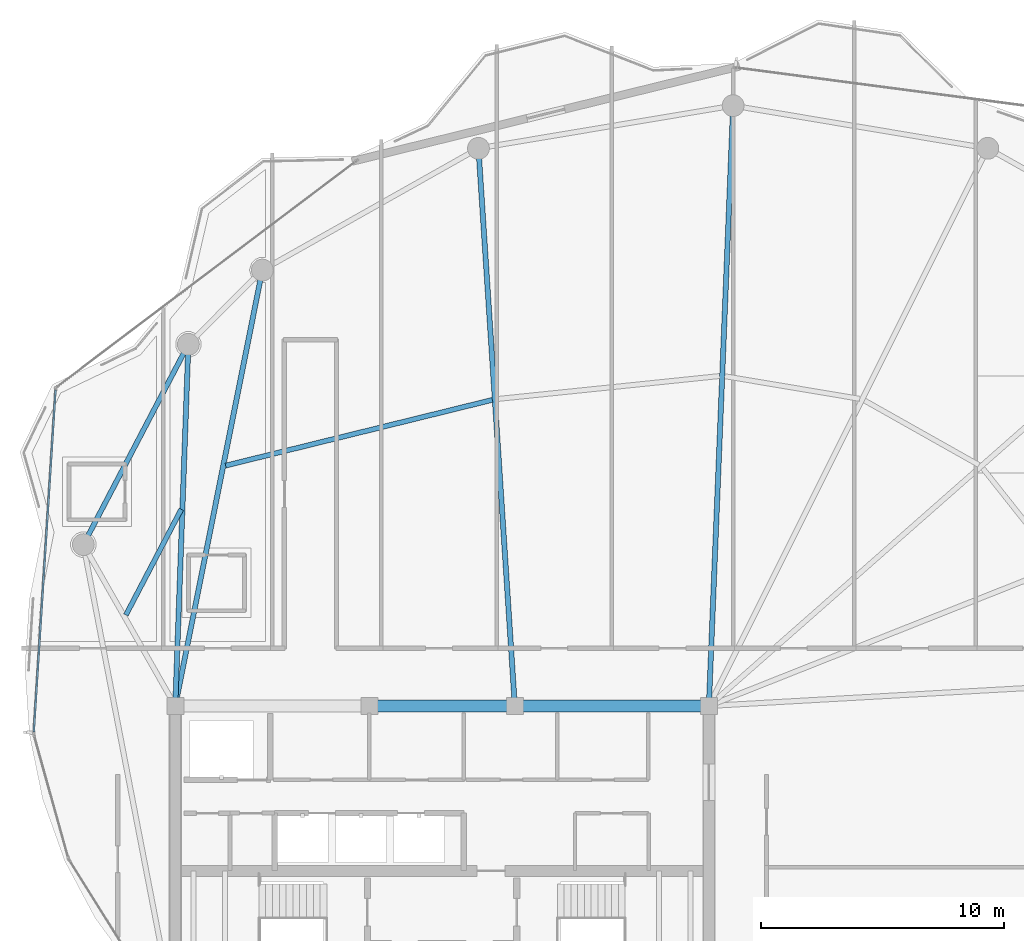
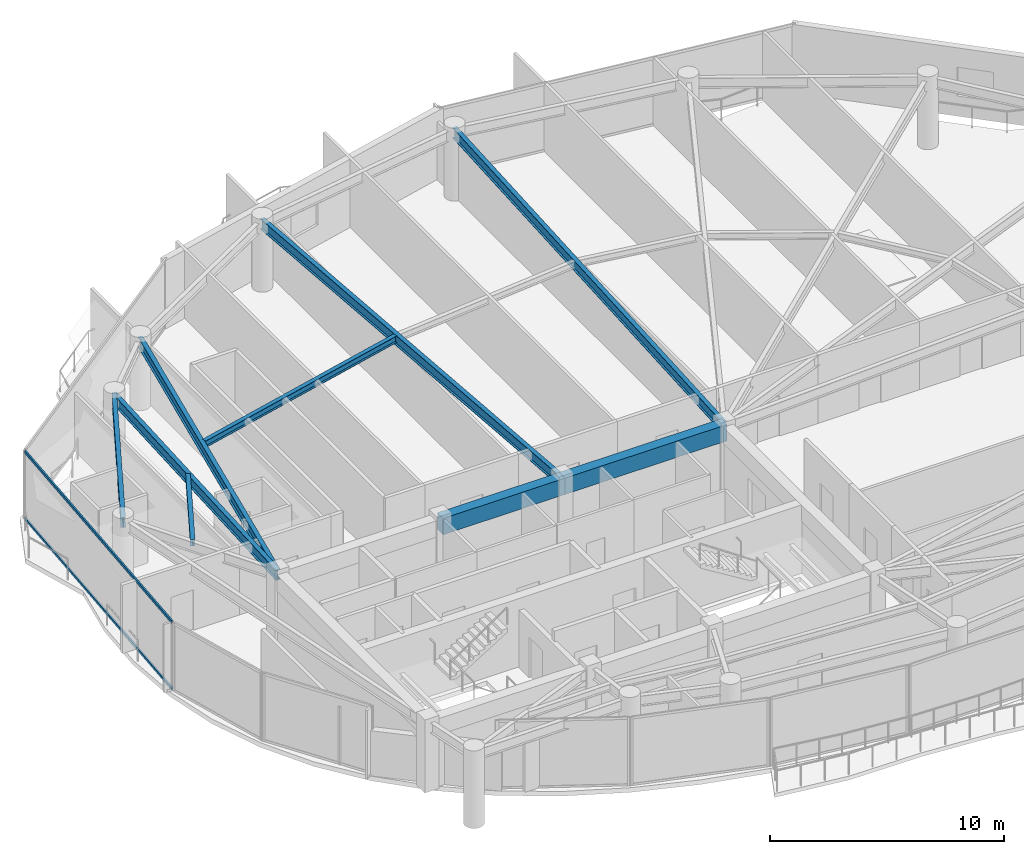
# One storey, part 10 of 30: 9 beams, 2 members, 1 element without a shape of its own.
"""IFC4 building model written with IfcOpenShell, lengths in metres."""

from ifc_helpers import new_model, si_unit, direction, frame, origin, origin_2d, place, context, subcontext, project, spatial, rectangle, hollow_rectangle, i_section, extrude, material, layer, layer_set, material_profile, profile_set, type_object, element, aggregate, save


model = new_model("IFC4")

# Units and contexts
model_context = context("Model", 3, precision=1e-05, world=origin(), true_north=direction((0.0, 1.0)))
body_context = subcontext(model_context, "Body", "Model", "MODEL_VIEW")
ifc_project = project(units=[si_unit("LENGTHUNIT", "METRE"), si_unit("AREAUNIT", "SQUARE_METRE"), si_unit("VOLUMEUNIT", "CUBIC_METRE"), si_unit("PLANEANGLEUNIT", "RADIAN"), si_unit("MASSUNIT", "GRAM", prefix="KILO")], contexts=[model_context])

# Site, building, storey
site_placement = place(None, origin())
site = spatial("IfcSite", under=ifc_project, at=site_placement, CompositionType="ELEMENT")
building_placement = place(site_placement, origin())
building = spatial("IfcBuilding", under=site, at=building_placement, Name="Kazevale Care Tower and Concert Hall", CompositionType="ELEMENT")
storey_placement = place(building_placement, frame((0.0, 0.0, 258.60009765625)))
storey = spatial("IfcBuildingStorey", under=building, at=storey_placement, Name="L68", CompositionType="ELEMENT", Elevation=258.60009765625)

# Curtain wall, members
ifc_material_1 = material(Name="Aluminium 6063-T6 and Low-E Glass", Category="aluminium")
ifc_layer = layer(ifc_material_1, 0.179931640625)
ifc_layer_set = layer_set([ifc_layer], Name="Aluminium 6063-T6 and Low-E Glass")
curtain_wall_type = type_object("IfcCurtainWallType", Name="Waist & Upper Residential Curtain Wall CW-4", PredefinedType="NOTDEFINED", material=ifc_layer_set)
curtain_wall_placement = place(storey_placement, origin())
curtain_wall = element("IfcCurtainWall", 1, at=curtain_wall_placement, inside=storey, type_object=curtain_wall_type, Name="cw:L68:f13", PredefinedType="NOTDEFINED")
ifc_material_2 = material(Name="Aluminium 6063-T6", Category="aluminium")
ifc_material_profile_1 = material_profile(ifc_material_2, hollow_rectangle(XDim=0.080078125, YDim=0.139892578125, WallThickness=0.00390625, at=origin_2d()), Name="ALU80x140x4")
ifc_profile_set_1 = profile_set([ifc_material_profile_1], Name="Aluminium 6063-T6")
member_type = type_object("IfcMemberType", Name="CW-4 Transom ALU80x140x4", PredefinedType="USERDEFINED", material=ifc_profile_set_1)
member_1_placement = place(storey_placement, frame((16.1669921875, 35.333740234375, 0.039794921875), z_axis=(0.063549673171, 0.997978676646, 0.0), x_axis=(-0.997978676646, 0.063549673171, 0.0)))
member_1 = element("IfcMember", 2, at=member_1_placement, type_object=member_type, Name="CW-4 transom 1.1", ObjectType="TRANSOM", PredefinedType="USERDEFINED", context=body_context, shape_type="SweptSolid", body=[
    extrude(hollow_rectangle(XDim=0.080078125, YDim=0.139892578125, WallThickness=0.00390625, at=origin_2d()), origin(), (0.0, 0.0, 1.0), 14.1298828125),
])
member_2_placement = place(storey_placement, frame((16.1669921875, 35.333740234375, 3.52001953125), z_axis=(0.063549673171, 0.997978676646, 0.0), x_axis=(-0.997978676646, 0.063549673171, 0.0)))
member_2 = element("IfcMember", 3, at=member_2_placement, type_object=member_type, Name="CW-4 transom 1.2", ObjectType="TRANSOM", PredefinedType="USERDEFINED", context=body_context, shape_type="SweptSolid", body=[
    extrude(hollow_rectangle(XDim=0.080078125, YDim=0.139892578125, WallThickness=0.00390625, at=origin_2d()), origin(), (0.0, 0.0, 1.0), 14.1298828125),
])
aggregate(curtain_wall, [member_1, member_2])

# Beams
ifc_material_3 = material(Name="Concrete C60", Category="concrete")
ifc_material_profile_2 = material_profile(ifc_material_3, rectangle(XDim=0.5, YDim=0.85009765625, at=origin_2d()), Name="RC-B500x850")
ifc_profile_set_2 = profile_set([ifc_material_profile_2], Name="Concrete C60")
beam_type_1 = type_object("IfcBeamType", Name="Core Coupling Beam RC500x850", PredefinedType="LINTEL", material=ifc_profile_set_2)
beam_1_placement = place(storey_placement, frame((44.0, 36.39990234375, 3.135009765625), z_axis=(-1.0, 0.0, 0.0), x_axis=(0.0, -1.0, 0.0)))
element("IfcBeam", 4, at=beam_1_placement, inside=storey, type_object=beam_type_1, Name="beam:L68:coretie:5", PredefinedType="LINTEL", context=body_context, shape_type="SweptSolid", body=[
    extrude(rectangle(XDim=0.5, YDim=0.85009765625, at=origin_2d()), origin(), (0.0, 0.0, 1.0), 8.0),
])
beam_2_placement = place(storey_placement, frame((36.0, 36.39990234375, 3.135009765625), z_axis=(-1.0, 0.0, 0.0), x_axis=(0.0, -1.0, 0.0)))
element("IfcBeam", 5, at=beam_2_placement, inside=storey, type_object=beam_type_1, Name="beam:L68:coretie:6", PredefinedType="LINTEL", context=body_context, shape_type="SweptSolid", body=[
    extrude(rectangle(XDim=0.5, YDim=0.85009765625, at=origin_2d()), origin(), (0.0, 0.0, 1.0), 6.0),
])
ifc_material_4 = material(Name="Steel ASTM A572 Gr 50", Category="steel")
ifc_material_profile_3 = material_profile(ifc_material_4, i_section(OverallWidth=0.2119140625, OverallDepth=0.5439453125, WebThickness=0.01318359375, FlangeThickness=0.021240234375, at=origin_2d()), Name="W530x123")
ifc_profile_set_3 = profile_set([ifc_material_profile_3], Name="Steel ASTM A572 Gr 50")
beam_type_2 = type_object("IfcBeamType", Name="Radial Floor Girder W530x123", PredefinedType="BEAM", material=ifc_profile_set_3)
beam_3_placement = place(storey_placement, frame((44.0, 36.39990234375, 3.287841796875), z_axis=(0.040371101203, 0.999184754781, 0.0), x_axis=(-0.999184754781, 0.040371101203, 0.0)))
element("IfcBeam", 6, at=beam_3_placement, inside=storey, type_object=beam_type_2, Name="beam:L68:rad:05", PredefinedType="BEAM", context=body_context, shape_type="SweptSolid", body=[
    extrude(i_section(OverallWidth=0.2119140625, OverallDepth=0.5439453125, WebThickness=0.01318359375, FlangeThickness=0.021240234375, at=origin_2d()), origin(), (0.0, 0.0, 1.0), 24.770263671875),
])
beam_4_placement = place(storey_placement, frame((36.0, 36.39990234375, 3.287841796875), z_axis=(-0.0651073525, 0.997878265446, 0.0), x_axis=(-0.997878265446, -0.0651073525, 0.0)))
element("IfcBeam", 7, at=beam_4_placement, inside=storey, type_object=beam_type_2, Name="beam:L68:rad:06", PredefinedType="BEAM", context=body_context, shape_type="SweptSolid", body=[
    extrude(i_section(OverallWidth=0.2119140625, OverallDepth=0.5439453125, WebThickness=0.01318359375, FlangeThickness=0.021240234375, at=origin_2d()), origin(), (0.0, 0.0, 1.0), 23.038818359375),
])
beam_5_placement = place(storey_placement, frame((22.0, 36.39990234375, 3.287841796875), z_axis=(0.195908605871, 0.980622158706, 0.0), x_axis=(-0.980622158706, 0.195908605871, 0.0)))
element("IfcBeam", 8, at=beam_5_placement, inside=storey, type_object=beam_type_2, Name="beam:L68:rad:07", PredefinedType="BEAM", context=body_context, shape_type="SweptSolid", body=[
    extrude(i_section(OverallWidth=0.2119140625, OverallDepth=0.5439453125, WebThickness=0.01318359375, FlangeThickness=0.021240234375, at=origin_2d()), origin(), (0.0, 0.0, 1.0), 18.325439453125),
])
beam_6_placement = place(storey_placement, frame((22.0, 36.39990234375, 3.287841796875), z_axis=(0.036195810092, 0.999344716968, 0.0), x_axis=(-0.999344716968, 0.036195810092, 0.0)))
element("IfcBeam", 9, at=beam_6_placement, inside=storey, type_object=beam_type_2, Name="beam:L68:rad:08", PredefinedType="BEAM", context=body_context, shape_type="SweptSolid", body=[
    extrude(i_section(OverallWidth=0.2119140625, OverallDepth=0.5439453125, WebThickness=0.01318359375, FlangeThickness=0.021240234375, at=origin_2d()), origin(), (0.0, 0.0, 1.0), 14.919921875),
])
ifc_material_profile_4 = material_profile(ifc_material_4, i_section(OverallWidth=0.205078125, OverallDepth=0.35400390625, WebThickness=0.009521484375, FlangeThickness=0.016845703125, at=origin_2d()), Name="W360x79")
ifc_profile_set_4 = profile_set([ifc_material_profile_4], Name="Steel ASTM A572 Gr 50")
beam_type_3 = type_object("IfcBeamType", Name="Secondary Floor Joist W360x79", PredefinedType="JOIST", material=ifc_profile_set_4)
beam_7_placement = place(storey_placement, frame((35.072998046875, 49.01904296875, 3.3828125), z_axis=(-0.970953581022, -0.239267932452, 0.0), x_axis=(0.239267932452, -0.970953581022, 0.0)))
element("IfcBeam", 10, at=beam_7_placement, inside=storey, type_object=beam_type_3, Name="beam:L68:joist:06", PredefinedType="JOIST", context=body_context, shape_type="SweptSolid", body=[
    extrude(i_section(OverallWidth=0.205078125, OverallDepth=0.35400390625, WebThickness=0.009521484375, FlangeThickness=0.016845703125, at=origin_2d()), origin(), (0.0, 0.0, 1.0), 11.326171875),
])
beam_8_placement = place(storey_placement, frame((22.248046875, 44.508056640625, 3.3828125), z_axis=(-0.46418126854, -0.885740227119, 0.0), x_axis=(0.885740227119, -0.46418126854, 0.0)))
element("IfcBeam", 11, at=beam_8_placement, inside=storey, type_object=beam_type_3, Name="beam:L68:joist:08", PredefinedType="JOIST", context=body_context, shape_type="SweptSolid", body=[
    extrude(i_section(OverallWidth=0.205078125, OverallDepth=0.35400390625, WebThickness=0.009521484375, FlangeThickness=0.016845703125, at=origin_2d()), origin(), (0.0, 0.0, 1.0), 4.92041015625),
])
ifc_material_profile_5 = material_profile(ifc_material_4, i_section(OverallWidth=0.208984375, OverallDepth=0.532958984375, WebThickness=0.01025390625, FlangeThickness=0.015625, at=origin_2d()), Name="W530x92")
ifc_profile_set_5 = profile_set([ifc_material_profile_5], Name="Steel ASTM A572 Gr 50")
beam_type_4 = type_object("IfcBeamType", Name="Upper Ring Beam W530x92", PredefinedType="BEAM", material=ifc_profile_set_5)
beam_9_placement = place(storey_placement, frame((22.5400390625, 51.31005859375, 3.29345703125), z_axis=(-0.464293577914, -0.885681361161, 0.0), x_axis=(0.885681361161, -0.464293577914, 0.0)))
element("IfcBeam", 12, at=beam_9_placement, inside=storey, type_object=beam_type_4, Name="beam:L68:ring:08", PredefinedType="BEAM", context=body_context, shape_type="SweptSolid", body=[
    extrude(i_section(OverallWidth=0.208984375, OverallDepth=0.532958984375, WebThickness=0.01025390625, FlangeThickness=0.015625, at=origin_2d()), origin(), (0.0, 0.0, 1.0), 9.326171875),
])

save(model, "model.ifc")
